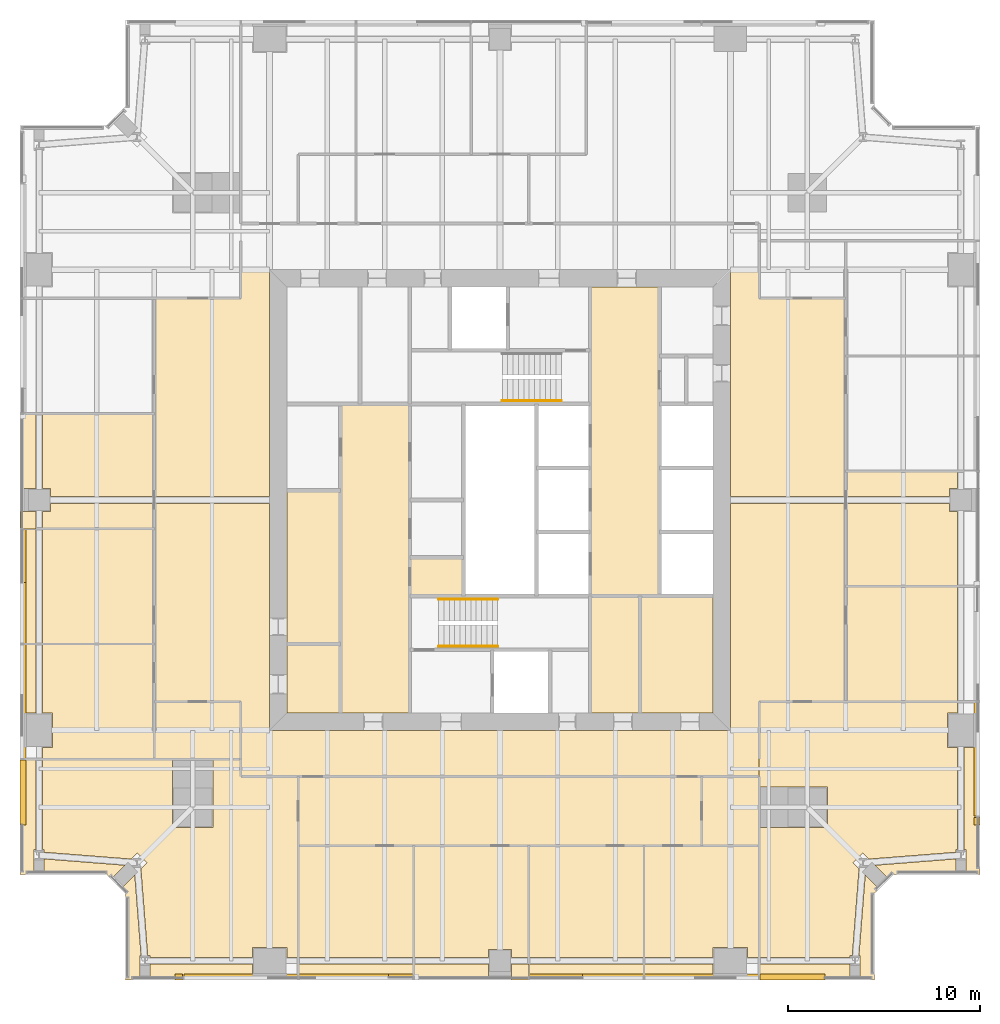
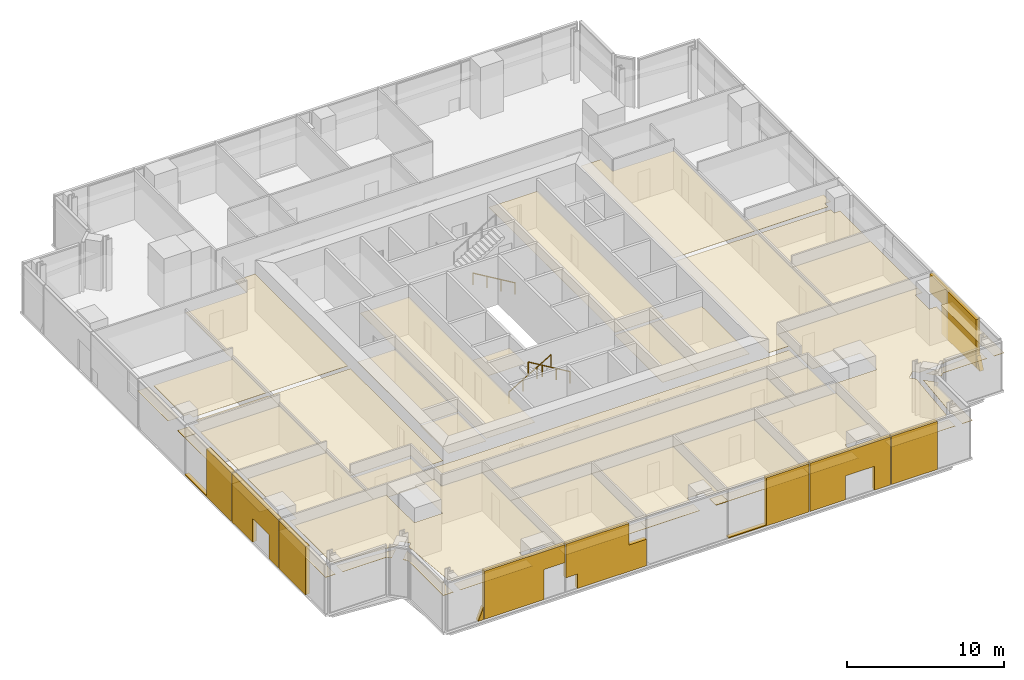
# One storey, part 13 of 14: 56 coverings, 3 railings.
"""IFC4 building model written with IfcOpenShell, lengths in metres."""

from ifc_helpers import new_model, si_unit, direction, frame, origin, origin_2d, place, context, subcontext, project, spatial, polyline, circle, outline, extrude, material, layer, layer_set, type_object, element, save


model = new_model("IFC4")

# Units and contexts
model_context = context("Model", 3, precision=1e-05, world=origin(), true_north=direction((0.0, 1.0)))
body_context = subcontext(model_context, "Body", "Model", "MODEL_VIEW")
ifc_project = project(units=[si_unit("LENGTHUNIT", "METRE"), si_unit("AREAUNIT", "SQUARE_METRE"), si_unit("VOLUMEUNIT", "CUBIC_METRE"), si_unit("PLANEANGLEUNIT", "RADIAN"), si_unit("MASSUNIT", "GRAM", prefix="KILO")], contexts=[model_context])

# Site, building, storey
site_placement = place(None, origin())
site = spatial("IfcSite", under=ifc_project, at=site_placement, CompositionType="ELEMENT")
building_placement = place(site_placement, origin())
building = spatial("IfcBuilding", under=site, at=building_placement, Name="Fenwick Lantern Interchange", CompositionType="ELEMENT")
storey_placement = place(building_placement, frame((0.0, 0.0, 225.800048828125)))
storey = spatial("IfcBuildingStorey", under=building, at=storey_placement, Name="L53", CompositionType="ELEMENT", Elevation=225.800048828125)

# Coverings
ifc_material_1 = material(Name="Mineral fibre acoustic tile on suspended grid")
ifc_layer_1 = layer(ifc_material_1, 0.02001953125)
ifc_layer_set_1 = layer_set([ifc_layer_1], Name="ACOUSTIC TILE CEILING 20")
covering_type_1 = type_object("IfcCoveringType", Name="ACOUSTIC TILE CEILING 20", PredefinedType="CEILING", material=ifc_layer_set_1)
covering_1_placement = place(storey_placement, frame((0.0, 0.0, 2.699951171875)))
element("IfcCovering", 1, at=covering_1_placement, inside=storey, type_object=covering_type_1, Name="Mail room ceiling", PredefinedType="CEILING", context=body_context, shape_type="SweptSolid", body=[
    extrude(outline(polyline([(13.89990234375, 17.5), (16.699951171875, 17.5), (16.699951171875, 25.5), (13.89990234375, 25.5), (13.89990234375, 17.5)])), origin(), (0.0, 0.0, 1.0), 0.02001953125),
])
covering_2_placement = place(storey_placement, frame((0.0, 0.0, 2.89990234375)))
element("IfcCovering", 2, at=covering_2_placement, inside=storey, type_object=covering_type_1, Name="Open office ceiling", PredefinedType="CEILING", context=body_context, shape_type="SweptSolid", body=[
    extrude(outline(polyline([(14.5, 10.60009765625), (14.5, 7.0), (35.5, 7.0), (35.5, 10.60009765625), (14.5, 10.60009765625)])), origin(), (0.0, 0.0, 1.0), 0.02001953125),
])
covering_3_placement = place(storey_placement, frame((0.0, 0.0, 2.89990234375)))
element("IfcCovering", 3, at=covering_3_placement, inside=storey, type_object=covering_type_1, Name="Executive office ceiling", PredefinedType="CEILING", context=body_context, shape_type="SweptSolid", body=[
    extrude(outline(polyline([(10.050048828125, 7.949951171875), (7.949951171875, 7.949951171875), (7.949951171875, 11.5), (1.17236328125, 11.5), (1.17236328125, 6.78759765625), (1.26220703125, 6.78759765625), (1.26220703125, 6.65234375), (5.77783203125, 6.298095703125), (6.10009765625, 6.620361328125), (6.620361328125, 6.10009765625), (6.298095703125, 5.77783203125), (6.650390625, 1.28759765625), (6.76220703125, 1.28759765625), (6.76220703125, 1.17236328125), (12.10009765625, 1.17236328125), (12.10009765625, 1.699951171875), (13.89990234375, 1.699951171875), (13.89990234375, 1.17236328125), (14.5, 1.17236328125), (14.5, 10.60009765625), (11.5, 10.60009765625), (11.5, 11.5), (10.050048828125, 11.5), (10.050048828125, 7.949951171875)])), origin(), (0.0, 0.0, 1.0), 0.02001953125),
])
covering_4_placement = place(storey_placement, frame((0.0, 0.0, 2.89990234375)))
element("IfcCovering", 4, at=covering_4_placement, inside=storey, type_object=covering_type_1, Name="Executive office ceiling", PredefinedType="CEILING", context=body_context, shape_type="SweptSolid", body=[
    extrude(outline(polyline([(0.73779296875, 6.78759765625), (0.82763671875, 6.78759765625), (0.82763671875, 11.5), (0.0, 11.5), (0.0, 5.5), (0.73779296875, 5.5), (0.73779296875, 6.78759765625)])), origin(), (0.0, 0.0, 1.0), 0.02001953125),
])
covering_5_placement = place(storey_placement, frame((0.0, 0.0, 2.89990234375)))
element("IfcCovering", 5, at=covering_5_placement, inside=storey, type_object=covering_type_1, Name="Executive office ceiling", PredefinedType="CEILING", context=body_context, shape_type="SweptSolid", body=[
    extrude(outline(polyline([(12.10009765625, 0.0), (12.10009765625, 0.82763671875), (6.76220703125, 0.82763671875), (6.76220703125, 0.0), (12.10009765625, 0.0)])), origin(), (0.0, 0.0, 1.0), 0.02001953125),
])
covering_6_placement = place(storey_placement, frame((0.0, 0.0, 2.89990234375)))
element("IfcCovering", 6, at=covering_6_placement, inside=storey, type_object=covering_type_1, Name="Executive office ceiling", PredefinedType="CEILING", context=body_context, shape_type="SweptSolid", body=[
    extrude(outline(polyline([(6.23779296875, 1.28759765625), (6.304443359375, 1.28759765625), (5.9775390625, 5.457275390625), (5.26025390625, 4.73974609375), (5.5, 4.5), (5.5, 0.0), (6.23779296875, 0.0), (6.23779296875, 1.28759765625)])), origin(), (0.0, 0.0, 1.0), 0.02001953125),
])
covering_7_placement = place(storey_placement, frame((0.0, 0.0, 2.89990234375)))
element("IfcCovering", 7, at=covering_7_placement, inside=storey, type_object=covering_type_1, Name="Executive office ceiling", PredefinedType="CEILING", context=body_context, shape_type="SweptSolid", body=[
    extrude(outline(polyline([(4.73974609375, 5.26025390625), (5.457275390625, 5.9775390625), (1.26220703125, 6.306396484375), (1.26220703125, 5.5), (4.5, 5.5), (4.73974609375, 5.26025390625)])), origin(), (0.0, 0.0, 1.0), 0.02001953125),
])
covering_8_placement = place(storey_placement, frame((0.0, 0.0, 2.89990234375)))
element("IfcCovering", 8, at=covering_8_placement, inside=storey, type_object=covering_type_1, Name="Office ceiling", PredefinedType="CEILING", context=body_context, shape_type="SweptSolid", body=[
    extrude(outline(polyline([(14.5, 7.0), (14.5, 1.17236328125), (20.5, 1.17236328125), (20.5, 7.0), (14.5, 7.0)])), origin(), (0.0, 0.0, 1.0), 0.02001953125),
])
covering_9_placement = place(storey_placement, frame((0.0, 0.0, 2.89990234375)))
element("IfcCovering", 9, at=covering_9_placement, inside=storey, type_object=covering_type_1, Name="Office ceiling", PredefinedType="CEILING", context=body_context, shape_type="SweptSolid", body=[
    extrude(outline(polyline([(20.5, 0.0), (20.5, 0.82763671875), (14.5, 0.82763671875), (14.5, 0.0), (20.5, 0.0)])), origin(), (0.0, 0.0, 1.0), 0.02001953125),
])
covering_10_placement = place(storey_placement, frame((0.0, 0.0, 2.89990234375)))
element("IfcCovering", 10, at=covering_10_placement, inside=storey, type_object=covering_type_1, Name="Office ceiling", PredefinedType="CEILING", context=body_context, shape_type="SweptSolid", body=[
    extrude(outline(polyline([(20.5, 7.0), (20.5, 1.17236328125), (24.39990234375, 1.17236328125), (24.39990234375, 1.60009765625), (25.60009765625, 1.60009765625), (25.60009765625, 1.17236328125), (26.5, 1.17236328125), (26.5, 7.0), (20.5, 7.0)])), origin(), (0.0, 0.0, 1.0), 0.02001953125),
])
covering_11_placement = place(storey_placement, frame((0.0, 0.0, 2.89990234375)))
element("IfcCovering", 11, at=covering_11_placement, inside=storey, type_object=covering_type_1, Name="Office ceiling", PredefinedType="CEILING", context=body_context, shape_type="SweptSolid", body=[
    extrude(outline(polyline([(20.5, 0.82763671875), (20.5, 0.0), (24.39990234375, 0.0), (24.39990234375, 0.82763671875), (20.5, 0.82763671875)])), origin(), (0.0, 0.0, 1.0), 0.02001953125),
])
covering_12_placement = place(storey_placement, frame((0.0, 0.0, 2.89990234375)))
element("IfcCovering", 12, at=covering_12_placement, inside=storey, type_object=covering_type_1, Name="Office ceiling", PredefinedType="CEILING", context=body_context, shape_type="SweptSolid", body=[
    extrude(outline(polyline([(26.5, 0.0), (26.5, 0.82763671875), (25.60009765625, 0.82763671875), (25.60009765625, 0.0), (26.5, 0.0)])), origin(), (0.0, 0.0, 1.0), 0.02001953125),
])
covering_13_placement = place(storey_placement, frame((0.0, 0.0, 2.89990234375)))
element("IfcCovering", 13, at=covering_13_placement, inside=storey, type_object=covering_type_1, Name="Office ceiling", PredefinedType="CEILING", context=body_context, shape_type="SweptSolid", body=[
    extrude(outline(polyline([(26.5, 7.0), (26.5, 1.17236328125), (32.5, 1.17236328125), (32.5, 7.0), (26.5, 7.0)])), origin(), (0.0, 0.0, 1.0), 0.02001953125),
])
covering_14_placement = place(storey_placement, frame((0.0, 0.0, 2.89990234375)))
element("IfcCovering", 14, at=covering_14_placement, inside=storey, type_object=covering_type_1, Name="Office ceiling", PredefinedType="CEILING", context=body_context, shape_type="SweptSolid", body=[
    extrude(outline(polyline([(32.5, 0.0), (32.5, 0.82763671875), (26.5, 0.82763671875), (26.5, 0.0), (32.5, 0.0)])), origin(), (0.0, 0.0, 1.0), 0.02001953125),
])
covering_15_placement = place(storey_placement, frame((0.0, 0.0, 2.89990234375)))
element("IfcCovering", 15, at=covering_15_placement, inside=storey, type_object=covering_type_1, Name="Meeting room ceiling", PredefinedType="CEILING", context=body_context, shape_type="SweptSolid", body=[
    extrude(outline(polyline([(32.5, 7.0), (32.5, 1.17236328125), (36.10009765625, 1.17236328125), (36.10009765625, 1.699951171875), (37.89990234375, 1.699951171875), (37.89990234375, 1.17236328125), (38.5, 1.17236328125), (38.5, 7.0), (32.5, 7.0)])), origin(), (0.0, 0.0, 1.0), 0.02001953125),
])
covering_16_placement = place(storey_placement, frame((0.0, 0.0, 2.89990234375)))
element("IfcCovering", 16, at=covering_16_placement, inside=storey, type_object=covering_type_1, Name="Meeting room ceiling", PredefinedType="CEILING", context=body_context, shape_type="SweptSolid", body=[
    extrude(outline(polyline([(32.5, 0.82763671875), (32.5, 0.0), (36.10009765625, 0.0), (36.10009765625, 0.82763671875), (32.5, 0.82763671875)])), origin(), (0.0, 0.0, 1.0), 0.02001953125),
])
covering_17_placement = place(storey_placement, frame((0.0, 0.0, 2.89990234375)))
element("IfcCovering", 17, at=covering_17_placement, inside=storey, type_object=covering_type_1, Name="Open office ceiling", PredefinedType="CEILING", context=body_context, shape_type="SweptSolid", body=[
    extrude(outline(polyline([(43.0, 14.5), (43.0, 24.824951171875), (37.0, 24.824951171875), (37.0, 13.0), (38.5, 13.0), (38.5, 14.5), (43.0, 14.5)])), origin(), (0.0, 0.0, 1.0), 0.02001953125),
])
covering_18_placement = place(storey_placement, frame((0.0, 0.0, 2.89990234375)))
element("IfcCovering", 18, at=covering_18_placement, inside=storey, type_object=covering_type_1, Name="Open office ceiling", PredefinedType="CEILING", context=body_context, shape_type="SweptSolid", body=[
    extrude(outline(polyline([(43.0, 25.175048828125), (43.0, 35.5), (38.5, 35.5), (38.5, 37.0), (37.0, 37.0), (37.0, 25.175048828125), (43.0, 25.175048828125)])), origin(), (0.0, 0.0, 1.0), 0.02001953125),
])
covering_19_placement = place(storey_placement, frame((0.0, 0.0, 2.89990234375)))
element("IfcCovering", 19, at=covering_19_placement, inside=storey, type_object=covering_type_1, Name="Office ceiling", PredefinedType="CEILING", context=body_context, shape_type="SweptSolid", body=[
    extrude(outline(polyline([(43.23779296875, 1.28759765625), (43.349609375, 1.28759765625), (43.701904296875, 5.77783203125), (43.379638671875, 6.10009765625), (43.89990234375, 6.620361328125), (44.22216796875, 6.298095703125), (48.73779296875, 6.65234375), (48.73779296875, 6.78759765625), (48.82763671875, 6.78759765625), (48.82763671875, 12.10009765625), (48.300048828125, 12.10009765625), (48.300048828125, 13.89990234375), (48.82763671875, 13.89990234375), (48.82763671875, 14.5), (38.5, 14.5), (38.5, 10.050048828125), (42.050048828125, 10.050048828125), (42.050048828125, 7.949951171875), (38.5, 7.949951171875), (38.5, 1.17236328125), (43.23779296875, 1.17236328125), (43.23779296875, 1.28759765625)])), origin(), (0.0, 0.0, 1.0), 0.02001953125),
])
covering_20_placement = place(storey_placement, frame((0.0, 0.0, 2.89990234375)))
element("IfcCovering", 20, at=covering_20_placement, inside=storey, type_object=covering_type_1, Name="Office ceiling", PredefinedType="CEILING", context=body_context, shape_type="SweptSolid", body=[
    extrude(outline(polyline([(50.0, 12.10009765625), (49.17236328125, 12.10009765625), (49.17236328125, 6.78759765625), (49.26220703125, 6.78759765625), (49.26220703125, 5.5), (50.0, 5.5), (50.0, 12.10009765625)])), origin(), (0.0, 0.0, 1.0), 0.02001953125),
])
covering_21_placement = place(storey_placement, frame((0.0, 0.0, 2.89990234375)))
element("IfcCovering", 21, at=covering_21_placement, inside=storey, type_object=covering_type_1, Name="Office ceiling", PredefinedType="CEILING", context=body_context, shape_type="SweptSolid", body=[
    extrude(outline(polyline([(43.23779296875, 0.0), (43.23779296875, 0.82763671875), (38.5, 0.82763671875), (38.5, 0.0), (43.23779296875, 0.0)])), origin(), (0.0, 0.0, 1.0), 0.02001953125),
])
covering_22_placement = place(storey_placement, frame((0.0, 0.0, 2.89990234375)))
element("IfcCovering", 22, at=covering_22_placement, inside=storey, type_object=covering_type_1, Name="Office ceiling", PredefinedType="CEILING", context=body_context, shape_type="SweptSolid", body=[
    extrude(outline(polyline([(43.695556640625, 1.28759765625), (43.76220703125, 1.28759765625), (43.76220703125, 0.0), (44.5, 0.0), (44.5, 4.5), (44.73974609375, 4.73974609375), (44.0224609375, 5.457275390625), (43.695556640625, 1.28759765625)])), origin(), (0.0, 0.0, 1.0), 0.02001953125),
])
covering_23_placement = place(storey_placement, frame((0.0, 0.0, 2.89990234375)))
element("IfcCovering", 23, at=covering_23_placement, inside=storey, type_object=covering_type_1, Name="Office ceiling", PredefinedType="CEILING", context=body_context, shape_type="SweptSolid", body=[
    extrude(outline(polyline([(48.73779296875, 5.5), (48.73779296875, 6.306396484375), (44.542724609375, 5.9775390625), (45.26025390625, 5.26025390625), (45.5, 5.5), (48.73779296875, 5.5)])), origin(), (0.0, 0.0, 1.0), 0.02001953125),
])
covering_24_placement = place(storey_placement, frame((0.0, 0.0, 2.89990234375)))
element("IfcCovering", 24, at=covering_24_placement, inside=storey, type_object=covering_type_1, Name="Office ceiling", PredefinedType="CEILING", context=body_context, shape_type="SweptSolid", body=[
    extrude(outline(polyline([(43.0, 14.5), (48.82763671875, 14.5), (48.82763671875, 20.5), (43.0, 20.5), (43.0, 14.5)])), origin(), (0.0, 0.0, 1.0), 0.02001953125),
])
covering_25_placement = place(storey_placement, frame((0.0, 0.0, 2.89990234375)))
element("IfcCovering", 25, at=covering_25_placement, inside=storey, type_object=covering_type_1, Name="Office ceiling", PredefinedType="CEILING", context=body_context, shape_type="SweptSolid", body=[
    extrude(outline(polyline([(43.0, 20.5), (48.82763671875, 20.5), (48.82763671875, 24.39990234375), (48.39990234375, 24.39990234375), (48.39990234375, 24.824951171875), (43.0, 24.824951171875), (43.0, 20.5)])), origin(), (0.0, 0.0, 1.0), 0.02001953125),
])
covering_26_placement = place(storey_placement, frame((0.0, 0.0, 2.89990234375)))
element("IfcCovering", 26, at=covering_26_placement, inside=storey, type_object=covering_type_1, Name="Office ceiling", PredefinedType="CEILING", context=body_context, shape_type="SweptSolid", body=[
    extrude(outline(polyline([(43.0, 26.5), (43.0, 25.175048828125), (48.39990234375, 25.175048828125), (48.39990234375, 25.60009765625), (48.82763671875, 25.60009765625), (48.82763671875, 26.5), (43.0, 26.5)])), origin(), (0.0, 0.0, 1.0), 0.02001953125),
])
covering_27_placement = place(storey_placement, frame((0.0, 0.0, 2.89990234375)))
element("IfcCovering", 27, at=covering_27_placement, inside=storey, type_object=covering_type_1, Name="Open office ceiling", PredefinedType="CEILING", context=body_context, shape_type="SweptSolid", body=[
    extrude(outline(polyline([(7.0, 24.824951171875), (7.0, 14.5), (11.5, 14.5), (11.5, 13.0), (13.0, 13.0), (13.0, 24.824951171875), (7.0, 24.824951171875)])), origin(), (0.0, 0.0, 1.0), 0.02001953125),
])
covering_28_placement = place(storey_placement, frame((0.0, 0.0, 2.89990234375)))
element("IfcCovering", 28, at=covering_28_placement, inside=storey, type_object=covering_type_1, Name="Open office ceiling", PredefinedType="CEILING", context=body_context, shape_type="SweptSolid", body=[
    extrude(outline(polyline([(7.0, 35.5), (7.0, 25.175048828125), (13.0, 25.175048828125), (13.0, 37.0), (11.5, 37.0), (11.5, 35.5), (7.0, 35.5)])), origin(), (0.0, 0.0, 1.0), 0.02001953125),
])
covering_29_placement = place(storey_placement, frame((0.0, 0.0, 2.89990234375)))
element("IfcCovering", 29, at=covering_29_placement, inside=storey, type_object=covering_type_1, Name="Office ceiling", PredefinedType="CEILING", context=body_context, shape_type="SweptSolid", body=[
    extrude(outline(polyline([(7.0, 29.5), (1.17236328125, 29.5), (1.17236328125, 25.60009765625), (1.60009765625, 25.60009765625), (1.60009765625, 25.175048828125), (7.0, 25.175048828125), (7.0, 29.5)])), origin(), (0.0, 0.0, 1.0), 0.02001953125),
])
covering_30_placement = place(storey_placement, frame((0.0, 0.0, 2.89990234375)))
element("IfcCovering", 30, at=covering_30_placement, inside=storey, type_object=covering_type_1, Name="Office ceiling", PredefinedType="CEILING", context=body_context, shape_type="SweptSolid", body=[
    extrude(outline(polyline([(7.0, 23.5), (7.0, 24.824951171875), (1.60009765625, 24.824951171875), (1.60009765625, 24.39990234375), (1.17236328125, 24.39990234375), (1.17236328125, 23.5), (7.0, 23.5)])), origin(), (0.0, 0.0, 1.0), 0.02001953125),
])
covering_31_placement = place(storey_placement, frame((0.0, 0.0, 2.89990234375)))
element("IfcCovering", 31, at=covering_31_placement, inside=storey, type_object=covering_type_1, Name="Office ceiling", PredefinedType="CEILING", context=body_context, shape_type="SweptSolid", body=[
    extrude(outline(polyline([(0.82763671875, 29.5), (0.0, 29.5), (0.0, 25.60009765625), (0.82763671875, 25.60009765625), (0.82763671875, 29.5)])), origin(), (0.0, 0.0, 1.0), 0.02001953125),
])
covering_32_placement = place(storey_placement, frame((0.0, 0.0, 2.89990234375)))
element("IfcCovering", 32, at=covering_32_placement, inside=storey, type_object=covering_type_1, Name="Office ceiling", PredefinedType="CEILING", context=body_context, shape_type="SweptSolid", body=[
    extrude(outline(polyline([(0.0, 23.5), (0.82763671875, 23.5), (0.82763671875, 24.39990234375), (0.0, 24.39990234375), (0.0, 23.5)])), origin(), (0.0, 0.0, 1.0), 0.02001953125),
])
covering_33_placement = place(storey_placement, frame((0.0, 0.0, 2.89990234375)))
element("IfcCovering", 33, at=covering_33_placement, inside=storey, type_object=covering_type_1, Name="Office ceiling", PredefinedType="CEILING", context=body_context, shape_type="SweptSolid", body=[
    extrude(outline(polyline([(7.0, 23.5), (1.17236328125, 23.5), (1.17236328125, 17.5), (7.0, 17.5), (7.0, 23.5)])), origin(), (0.0, 0.0, 1.0), 0.02001953125),
])
covering_34_placement = place(storey_placement, frame((0.0, 0.0, 2.89990234375)))
element("IfcCovering", 34, at=covering_34_placement, inside=storey, type_object=covering_type_1, Name="Office ceiling", PredefinedType="CEILING", context=body_context, shape_type="SweptSolid", body=[
    extrude(outline(polyline([(0.0, 17.5), (0.82763671875, 17.5), (0.82763671875, 23.5), (0.0, 23.5), (0.0, 17.5)])), origin(), (0.0, 0.0, 1.0), 0.02001953125),
])
covering_35_placement = place(storey_placement, frame((0.0, 0.0, 2.89990234375)))
element("IfcCovering", 35, at=covering_35_placement, inside=storey, type_object=covering_type_1, Name="Meeting room ceiling", PredefinedType="CEILING", context=body_context, shape_type="SweptSolid", body=[
    extrude(outline(polyline([(7.0, 17.5), (1.17236328125, 17.5), (1.17236328125, 13.89990234375), (1.699951171875, 13.89990234375), (1.699951171875, 12.10009765625), (1.17236328125, 12.10009765625), (1.17236328125, 11.5), (7.0, 11.5), (7.0, 17.5)])), origin(), (0.0, 0.0, 1.0), 0.02001953125),
])
covering_36_placement = place(storey_placement, frame((0.0, 0.0, 2.89990234375)))
element("IfcCovering", 36, at=covering_36_placement, inside=storey, type_object=covering_type_1, Name="Meeting room ceiling", PredefinedType="CEILING", context=body_context, shape_type="SweptSolid", body=[
    extrude(outline(polyline([(0.82763671875, 17.5), (0.0, 17.5), (0.0, 13.89990234375), (0.82763671875, 13.89990234375), (0.82763671875, 17.5)])), origin(), (0.0, 0.0, 1.0), 0.02001953125),
])
ifc_material_2 = material(Name="Granite cladding, warm grey flamed finish, on aluminium carrier frame", Category="masonry")
ifc_layer_2 = layer(ifc_material_2, 0.300048828125)
ifc_layer_set_2 = layer_set([ifc_layer_2], Name="BRACE CASING PANEL 300")
covering_type_2 = type_object("IfcCoveringType", Name="BRACE CASING PANEL 300", PredefinedType="CLADDING", material=ifc_layer_set_2)
covering_37_placement = place(storey_placement, frame((5.60009765625, 0.10009765625, 0.0), z_axis=(0.0, 0.0, 1.0), x_axis=(1.0, 0.0, 0.0)))
element("IfcCovering", 37, at=covering_37_placement, inside=storey, type_object=covering_type_2, Name="Brace casing 01 bay 00a", PredefinedType="CLADDING", context=body_context, shape_type="SweptSolid", body=[
    extrude(outline(polyline([(2.4765625, 0.0), (2.867431640625, 0.0), (2.867431640625, 0.955078125), (2.4765625, 0.0)])), frame((0.0, 0.2001953125, 0.0), z_axis=(0.0, -1.0, 0.0), x_axis=(1.0, 0.0, 0.0)), (0.0, 0.0, 1.0), 0.300048828125),
])
covering_38_placement = place(storey_placement, frame((5.60009765625, 0.10009765625, 0.0), z_axis=(0.0, 0.0, 1.0), x_axis=(1.0, 0.0, 0.0)))
element("IfcCovering", 38, at=covering_38_placement, inside=storey, type_object=covering_type_2, Name="Brace casing 01 bay 01a", PredefinedType="CLADDING", context=body_context, shape_type="SweptSolid", body=[
    extrude(outline(polyline([(2.9326171875, 0.0), (7.326416015625, 0.0), (7.326416015625, 2.345947265625), (8.867431640625, 2.345947265625), (8.867431640625, 3.75), (2.9326171875, 3.75), (2.9326171875, 0.0)])), frame((0.0, 0.2001953125, 0.0), z_axis=(0.0, -1.0, 0.0), x_axis=(1.0, 0.0, 0.0)), (0.0, 0.0, 1.0), 0.300048828125),
])
covering_39_placement = place(storey_placement, frame((5.60009765625, 0.10009765625, 0.0), z_axis=(0.0, 0.0, 1.0), x_axis=(1.0, 0.0, 0.0)))
element("IfcCovering", 39, at=covering_39_placement, inside=storey, type_object=covering_type_2, Name="Brace casing 01 bay 02a", PredefinedType="CLADDING", context=body_context, shape_type="SweptSolid", body=[
    extrude(outline(polyline([(9.78759765625, 0.0), (14.867431640625, 0.0), (14.867431640625, 2.062255859375), (13.5966796875, 2.062255859375), (13.5966796875, 3.75), (8.9326171875, 3.75), (8.9326171875, 1.13232421875), (9.78759765625, 1.13232421875), (9.78759765625, 0.0)])), frame((0.0, 0.2001953125, 0.0), z_axis=(0.0, -1.0, 0.0), x_axis=(1.0, 0.0, 0.0)), (0.0, 0.0, 1.0), 0.300048828125),
])
covering_40_placement = place(storey_placement, frame((5.60009765625, 0.10009765625, 0.0), z_axis=(0.0, 0.0, 1.0), x_axis=(1.0, 0.0, 0.0)))
element("IfcCovering", 40, at=covering_40_placement, inside=storey, type_object=covering_type_2, Name="Brace casing 01 bay 04a", PredefinedType="CLADDING", context=body_context, shape_type="SweptSolid", body=[
    extrude(outline(polyline([(20.9326171875, 0.0), (26.867431640625, 0.0), (26.867431640625, 3.75), (23.70751953125, 3.75), (23.70751953125, 0.082275390625), (20.9326171875, 0.082275390625), (20.9326171875, 0.0)])), frame((0.0, 0.2001953125, 0.0), z_axis=(0.0, -1.0, 0.0), x_axis=(1.0, 0.0, 0.0)), (0.0, 0.0, 1.0), 0.300048828125),
])
covering_41_placement = place(storey_placement, frame((5.60009765625, 0.10009765625, 0.0), z_axis=(0.0, 0.0, 1.0), x_axis=(1.0, 0.0, 0.0)))
element("IfcCovering", 41, at=covering_41_placement, inside=storey, type_object=covering_type_2, Name="Brace casing 01 bay 05a", PredefinedType="CLADDING", context=body_context, shape_type="SweptSolid", body=[
    extrude(outline(polyline([(26.9326171875, 0.0), (29.56201171875, 0.0), (29.56201171875, 1.85986328125), (31.672119140625, 1.85986328125), (31.672119140625, 0.0), (32.867431640625, 0.0), (32.867431640625, 3.75), (26.9326171875, 3.75), (26.9326171875, 0.0)])), frame((0.0, 0.2001953125, 0.0), z_axis=(0.0, -1.0, 0.0), x_axis=(1.0, 0.0, 0.0)), (0.0, 0.0, 1.0), 0.300048828125),
])
covering_42_placement = place(storey_placement, frame((5.60009765625, 0.10009765625, 0.0), z_axis=(0.0, 0.0, 1.0), x_axis=(1.0, 0.0, 0.0)))
element("IfcCovering", 42, at=covering_42_placement, inside=storey, type_object=covering_type_2, Name="Brace casing 01 bay 06a", PredefinedType="CLADDING", context=body_context, shape_type="SweptSolid", body=[
    extrude(outline(polyline([(32.9326171875, 0.0), (36.323974609375, 0.0), (36.323974609375, 3.75), (32.9326171875, 3.75), (32.9326171875, 0.0)])), frame((0.0, 0.2001953125, 0.0), z_axis=(0.0, -1.0, 0.0), x_axis=(1.0, 0.0, 0.0)), (0.0, 0.0, 1.0), 0.300048828125),
])
covering_43_placement = place(storey_placement, frame((49.89990234375, 5.60009765625, 0.0), z_axis=(0.0, 0.0, 1.0), x_axis=(0.0, 1.0, 0.0)))
element("IfcCovering", 43, at=covering_43_placement, inside=storey, type_object=covering_type_2, Name="Brace casing 05 bay 00a", PredefinedType="CLADDING", context=body_context, shape_type="SweptSolid", body=[
    extrude(outline(polyline([(2.4765625, 0.0), (2.867431640625, 0.0), (2.867431640625, 0.955078125), (2.4765625, 0.0)])), frame((0.0, 0.2001953125, 0.0), z_axis=(0.0, -1.0, 0.0), x_axis=(1.0, 0.0, 0.0)), (0.0, 0.0, 1.0), 0.300048828125),
])
covering_44_placement = place(storey_placement, frame((49.89990234375, 5.60009765625, 0.0), z_axis=(0.0, 0.0, 1.0), x_axis=(0.0, 1.0, 0.0)))
element("IfcCovering", 44, at=covering_44_placement, inside=storey, type_object=covering_type_2, Name="Brace casing 05 bay 01a", PredefinedType="CLADDING", context=body_context, shape_type="SweptSolid", body=[
    extrude(outline(polyline([(2.9326171875, 0.0), (7.326416015625, 0.0), (7.326416015625, 2.345947265625), (8.867431640625, 2.345947265625), (8.867431640625, 3.75), (2.9326171875, 3.75), (2.9326171875, 0.0)])), frame((0.0, 0.2001953125, 0.0), z_axis=(0.0, -1.0, 0.0), x_axis=(1.0, 0.0, 0.0)), (0.0, 0.0, 1.0), 0.300048828125),
])
covering_45_placement = place(storey_placement, frame((0.10009765625, 44.39990234375, 0.0), z_axis=(0.0, 0.0, 1.0), x_axis=(0.0, -1.0, 0.0)))
element("IfcCovering", 45, at=covering_45_placement, inside=storey, type_object=covering_type_2, Name="Brace casing 13 bay 04a", PredefinedType="CLADDING", context=body_context, shape_type="SweptSolid", body=[
    extrude(outline(polyline([(20.9326171875, 0.0), (26.867431640625, 0.0), (26.867431640625, 3.75), (23.70751953125, 3.75), (23.70751953125, 0.082275390625), (20.9326171875, 0.082275390625), (20.9326171875, 0.0)])), frame((0.0, 0.2001953125, 0.0), z_axis=(0.0, -1.0, 0.0), x_axis=(1.0, 0.0, 0.0)), (0.0, 0.0, 1.0), 0.300048828125),
])
covering_46_placement = place(storey_placement, frame((0.10009765625, 44.39990234375, 0.0), z_axis=(0.0, 0.0, 1.0), x_axis=(0.0, -1.0, 0.0)))
element("IfcCovering", 46, at=covering_46_placement, inside=storey, type_object=covering_type_2, Name="Brace casing 13 bay 05a", PredefinedType="CLADDING", context=body_context, shape_type="SweptSolid", body=[
    extrude(outline(polyline([(26.9326171875, 0.0), (29.56201171875, 0.0), (29.56201171875, 1.85986328125), (31.672119140625, 1.85986328125), (31.672119140625, 0.0), (32.867431640625, 0.0), (32.867431640625, 3.75), (26.9326171875, 3.75), (26.9326171875, 0.0)])), frame((0.0, 0.2001953125, 0.0), z_axis=(0.0, -1.0, 0.0), x_axis=(1.0, 0.0, 0.0)), (0.0, 0.0, 1.0), 0.300048828125),
])
covering_47_placement = place(storey_placement, frame((0.10009765625, 44.39990234375, 0.0), z_axis=(0.0, 0.0, 1.0), x_axis=(0.0, -1.0, 0.0)))
element("IfcCovering", 47, at=covering_47_placement, inside=storey, type_object=covering_type_2, Name="Brace casing 13 bay 06a", PredefinedType="CLADDING", context=body_context, shape_type="SweptSolid", body=[
    extrude(outline(polyline([(32.9326171875, 0.0), (36.323974609375, 0.0), (36.323974609375, 3.75), (32.9326171875, 3.75), (32.9326171875, 0.0)])), frame((0.0, 0.2001953125, 0.0), z_axis=(0.0, -1.0, 0.0), x_axis=(1.0, 0.0, 0.0)), (0.0, 0.0, 1.0), 0.300048828125),
])

# Railings
ifc_material_3 = material(Name="Stainless steel handrail", Category="steel")
railing_type = type_object("IfcRailingType", Name="HANDRAIL 900", PredefinedType="HANDRAIL", material=ifc_material_3)
railing_placement = place(storey_placement, frame((21.800048828125, 19.825927734375, 0.16650390625)))
element("IfcRailing", 48, at=railing_placement, inside=storey, type_object=railing_type, Name="L53/STAIR/ST1/HR1", PredefinedType="HANDRAIL", context=body_context, shape_type="SweptSolid", body=[
    extrude(circle(Radius=0.02392578125, at=origin_2d()), frame((0.0, 0.0, 0.8759765625), z_axis=(0.859260807169, 0.0, 0.511537745687), x_axis=(0.0, 1.0, 0.0)), (0.0, 0.0, 1.0), 3.584228515625),
    extrude(circle(Radius=0.02099609375, at=origin_2d()), origin(), (0.0, 0.0, 1.0), 0.851806640625),
    extrude(circle(Radius=0.02099609375, at=origin_2d()), frame((1.026611328125, 0.0, 0.611083984375)), (0.0, 0.0, 1.0), 0.851806640625),
    extrude(circle(Radius=0.02099609375, at=origin_2d()), frame((2.05322265625, 0.0, 1.222412109375)), (0.0, 0.0, 1.0), 0.851806640625),
    extrude(circle(Radius=0.02099609375, at=origin_2d()), frame((3.079833984375, 0.0, 1.83349609375)), (0.0, 0.0, 1.0), 0.851806640625),
])
for number, where, name in (
    (49, (24.8798828125, 17.3740234375, 2.16650390625), "L53/STAIR/ST1/HR2"),
    (50, (28.199951171875, 30.174072265625, 0.16650390625), "L53/STAIR/ST2/HR1"),
):
    element("IfcRailing", number, at=place(storey_placement, frame(where)), inside=storey, type_object=railing_type, Name=name, PredefinedType="HANDRAIL", context=body_context, shape_type="SweptSolid", body=[
        extrude(circle(Radius=0.02392578125, at=origin_2d()), frame((0.0, 0.0, 0.8759765625), z_axis=(-0.859260807169, 0.0, 0.511537745687), x_axis=(0.0, -1.0, 0.0)), (0.0, 0.0, 1.0), 3.584228515625),
        extrude(circle(Radius=0.02099609375, at=origin_2d()), origin(), (0.0, 0.0, 1.0), 0.851806640625),
        extrude(circle(Radius=0.02099609375, at=origin_2d()), frame((-1.026611328125, 0.0, 0.611083984375)), (0.0, 0.0, 1.0), 0.851806640625),
        extrude(circle(Radius=0.02099609375, at=origin_2d()), frame((-2.05322265625, 0.0, 1.222412109375)), (0.0, 0.0, 1.0), 0.851806640625),
        extrude(circle(Radius=0.02099609375, at=origin_2d()), frame((-3.079833984375, 0.0, 1.83349609375)), (0.0, 0.0, 1.0), 0.851806640625),
    ])

# Coverings
ifc_material_4 = material(Name="Moisture resistant gypsum board on suspended frame, painted")
ifc_layer_3 = layer(ifc_material_4, 0.014892578125)
ifc_layer_set_3 = layer_set([ifc_layer_3], Name="MOISTURE RESISTANT CEILING 15")
covering_type_3 = type_object("IfcCoveringType", Name="MOISTURE RESISTANT CEILING 15", PredefinedType="CEILING", material=ifc_layer_set_3)
covering_48_placement = place(storey_placement, frame((0.0, 0.0, 2.599853515625)))
element("IfcCovering", 51, at=covering_48_placement, inside=storey, type_object=covering_type_3, Name="Men's WC ceiling", PredefinedType="CEILING", context=body_context, shape_type="SweptSolid", body=[
    extrude(outline(polyline([(29.699951171875, 13.89990234375), (32.300048828125, 13.89990234375), (32.300048828125, 20.0), (29.699951171875, 20.0), (29.699951171875, 13.89990234375)])), origin(), (0.0, 0.0, 1.0), 0.01513671875),
])
covering_49_placement = place(storey_placement, frame((0.0, 0.0, 2.599853515625)))
element("IfcCovering", 52, at=covering_49_placement, inside=storey, type_object=covering_type_3, Name="Women's WC ceiling", PredefinedType="CEILING", context=body_context, shape_type="SweptSolid", body=[
    extrude(outline(polyline([(32.300048828125, 13.89990234375), (36.10009765625, 13.89990234375), (36.10009765625, 20.0), (32.300048828125, 20.0), (32.300048828125, 13.89990234375)])), origin(), (0.0, 0.0, 1.0), 0.01513671875),
])
covering_50_placement = place(storey_placement, frame((0.0, 0.0, 2.599853515625)))
element("IfcCovering", 53, at=covering_50_placement, inside=storey, type_object=covering_type_3, Name="Accessible WC and shower ceiling", PredefinedType="CEILING", context=body_context, shape_type="SweptSolid", body=[
    extrude(outline(polyline([(13.89990234375, 13.89990234375), (16.699951171875, 13.89990234375), (16.699951171875, 17.5), (13.89990234375, 17.5), (13.89990234375, 13.89990234375)])), origin(), (0.0, 0.0, 1.0), 0.01513671875),
])
covering_51_placement = place(storey_placement, frame((0.0, 0.0, 2.699951171875)))
element("IfcCovering", 54, at=covering_51_placement, inside=storey, type_object=covering_type_3, Name="Pantry ceiling", PredefinedType="CEILING", context=body_context, shape_type="SweptSolid", body=[
    extrude(outline(polyline([(20.300048828125, 20.0), (23.10009765625, 20.0), (23.10009765625, 22.0), (20.300048828125, 22.0), (20.300048828125, 20.0)])), origin(), (0.0, 0.0, 1.0), 0.014892578125),
])
covering_52_placement = place(storey_placement, frame((0.0, 0.0, 2.699951171875)))
element("IfcCovering", 55, at=covering_52_placement, inside=storey, type_object=covering_type_3, Name="Pantry ceiling", PredefinedType="CEILING", context=body_context, shape_type="SweptSolid", body=[
    extrude(outline(polyline([(35.5, 7.0), (38.5, 7.0), (38.5, 10.60009765625), (35.5, 10.60009765625), (35.5, 7.0)])), origin(), (0.0, 0.0, 1.0), 0.014892578125),
])
covering_53_placement = place(storey_placement, frame((0.0, 0.0, 2.699951171875)))
element("IfcCovering", 56, at=covering_53_placement, inside=storey, type_object=covering_type_3, Name="Pantry ceiling", PredefinedType="CEILING", context=body_context, shape_type="SweptSolid", body=[
    extrude(outline(polyline([(7.0, 14.5), (7.0, 11.5), (11.5, 11.5), (11.5, 14.5), (7.0, 14.5)])), origin(), (0.0, 0.0, 1.0), 0.014892578125),
])
ifc_material_5 = material(Name="Gypsum plasterboard on suspended frame, painted")
ifc_layer_4 = layer(ifc_material_5, 0.014892578125)
ifc_layer_set_4 = layer_set([ifc_layer_4], Name="PLASTERBOARD CEILING 15")
covering_type_4 = type_object("IfcCoveringType", Name="PLASTERBOARD CEILING 15", PredefinedType="CEILING", material=ifc_layer_set_4)
covering_54_placement = place(storey_placement, frame((0.0, 0.0, 2.800048828125)))
element("IfcCovering", 57, at=covering_54_placement, inside=storey, type_object=covering_type_4, Name="Lift lobby ceiling", PredefinedType="CEILING", context=body_context, shape_type="SweptSolid", body=[
    extrude(outline(polyline([(16.699951171875, 13.89990234375), (20.300048828125, 13.89990234375), (20.300048828125, 30.0), (16.699951171875, 30.0), (16.699951171875, 13.89990234375)])), origin(), (0.0, 0.0, 1.0), 0.014892578125),
])
covering_55_placement = place(storey_placement, frame((0.0, 0.0, 2.800048828125)))
element("IfcCovering", 58, at=covering_55_placement, inside=storey, type_object=covering_type_4, Name="Lift lobby ceiling", PredefinedType="CEILING", context=body_context, shape_type="SweptSolid", body=[
    extrude(outline(polyline([(33.300048828125, 36.10009765625), (29.699951171875, 36.10009765625), (29.699951171875, 20.0), (33.300048828125, 20.0), (33.300048828125, 36.10009765625)])), origin(), (0.0, 0.0, 1.0), 0.014892578125),
])
covering_56_placement = place(storey_placement, frame((0.0, 0.0, 2.599853515625)))
element("IfcCovering", 59, at=covering_56_placement, inside=storey, type_object=covering_type_4, Name="Corridor ceiling", PredefinedType="CEILING", context=body_context, shape_type="SweptSolid", body=[
    extrude(outline(polyline([(11.5, 10.60009765625), (38.5, 10.60009765625), (38.5, 13.0), (11.5, 13.0), (11.5, 10.60009765625)])), origin(), (0.0, 0.0, 1.0), 0.01513671875),
])

save(model, "model.ifc")
